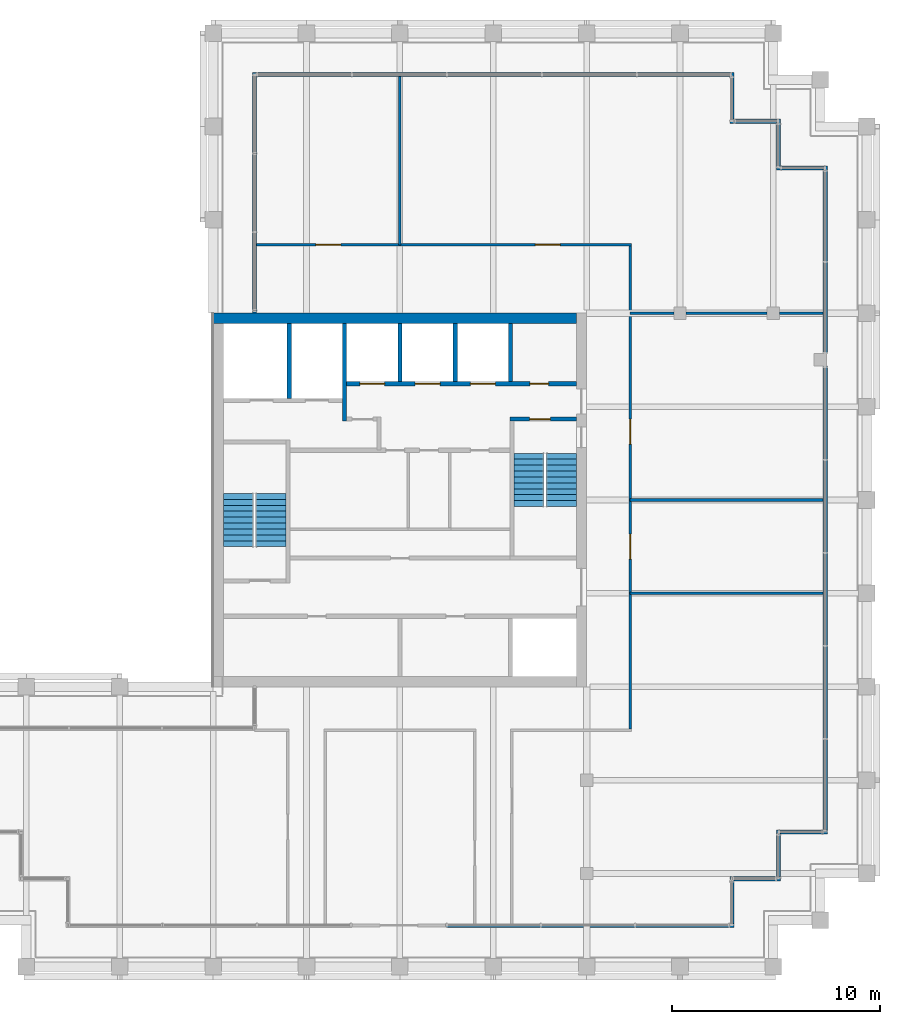
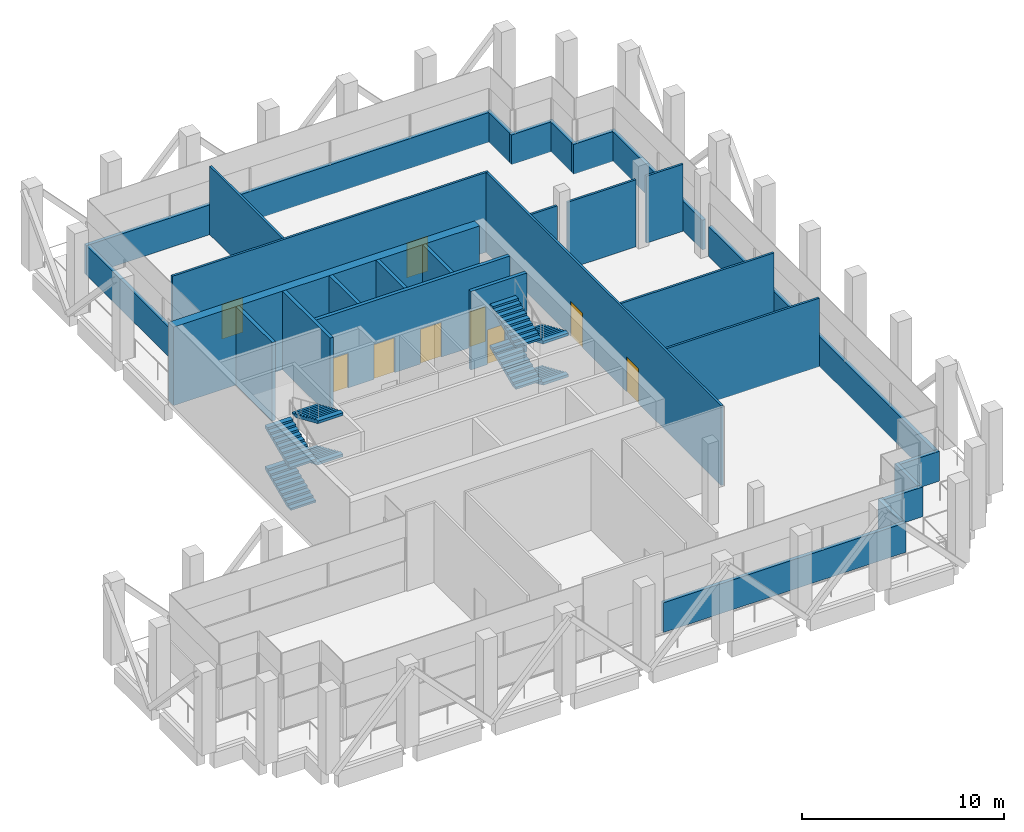
# One storey, part 20 of 21: 29 walls, 9 doors, 8 stair flights, 9 openings, 2 elements without a shape of their own.
"""IFC4 building model written with IfcOpenShell, lengths in metres."""

from ifc_helpers import new_model, si_unit, direction, frame, frame_2d, origin, place, context, subcontext, project, spatial, polyline, rectangle, outline, extrude, material, layer, layer_set, type_object, element, fill, aggregate, save


model = new_model("IFC4")

# Units and contexts
model_context = context("Model", 3, precision=1e-05, world=origin(), true_north=direction((0.0, 1.0)))
body_context = subcontext(model_context, "Body", "Model", "MODEL_VIEW")
ifc_project = project(units=[si_unit("LENGTHUNIT", "METRE"), si_unit("AREAUNIT", "SQUARE_METRE"), si_unit("VOLUMEUNIT", "CUBIC_METRE"), si_unit("PLANEANGLEUNIT", "RADIAN"), si_unit("MASSUNIT", "GRAM", prefix="KILO")], contexts=[model_context])

# Site, building, storey
site_placement = place(None, origin())
site = spatial("IfcSite", under=ifc_project, at=site_placement, CompositionType="ELEMENT")
building_placement = place(site_placement, origin())
building = spatial("IfcBuilding", under=site, at=building_placement, Name="Altepetl Exchange Towers", CompositionType="ELEMENT")
storey_placement = place(building_placement, frame((0.0, 0.0, 246.0)))
storey = spatial("IfcBuildingStorey", under=building, at=storey_placement, Name="L63 Refuge", CompositionType="ELEMENT", Elevation=246.0)

# Walls
ifc_material_1 = material(Name="Concrete C70/85", Category="concrete")
ifc_layer_1 = layer(ifc_material_1, 0.5)
ifc_layer_set_1 = layer_set([ifc_layer_1], Name="Concrete C70/85")
wall_type_1 = type_object("IfcWallType", Name="Core wall 500 reinforced concrete", PredefinedType="SHEAR", material=ifc_layer_set_1)
wall_1_placement = place(storey_placement, frame((40.5, 58.25, 0.0)))
element("IfcWall", 1, at=wall_1_placement, inside=storey, type_object=wall_type_1, Name="wall:A:L63:K-coreN", PredefinedType="SHEAR", context=body_context, shape_type="SweptSolid", body=[
    extrude(rectangle(XDim=17.5, YDim=0.5, at=frame_2d((8.75, 0.0))), origin(), (0.0, 0.0, 1.0), 4.75),
])
ifc_material_2 = material(Name="Gypsum board on steel studs", Category="steel")
ifc_layer_2 = layer(ifc_material_2, 0.125)
ifc_layer_set_2 = layer_set([ifc_layer_2], Name="Gypsum board on steel studs")
wall_type_2 = type_object("IfcWallType", Name="Partition 125 gypsum board on steel studs", PredefinedType="PARTITIONING", material=ifc_layer_set_2)
for number, where, name in (
    (2, (60.60009765625, 45.0, 0.0), "wall:A:L63:P04"),
    (3, (60.60009765625, 49.5, 0.0), "wall:A:L63:P05"),
):
    element("IfcWall", number, at=place(storey_placement, frame(where)), inside=storey, type_object=wall_type_2, Name=name, PredefinedType="PARTITIONING", context=body_context, shape_type="SweptSolid", body=[
        extrude(rectangle(XDim=9.2998046875, YDim=0.125, at=frame_2d((4.64990234375, 0.0))), origin(), (0.0, 0.0, 1.0), 4.14111328125),
    ])
wall_2_placement = place(storey_placement, frame((60.60009765625, 58.5, 0.0)))
element("IfcWall", 4, at=wall_2_placement, inside=storey, type_object=wall_type_2, Name="wall:A:L63:P06", PredefinedType="PARTITIONING", context=body_context, shape_type="SweptSolid", body=[
    extrude(rectangle(XDim=2.099853515625, YDim=0.125, at=frame_2d((1.0498046875, 0.0))), origin(), (0.0, 0.0, 1.0), 4.051025390625),
])
wall_3_placement = place(storey_placement, frame((63.300048828125, 58.5, 0.0)))
element("IfcWall", 5, at=wall_3_placement, inside=storey, type_object=wall_type_2, Name="wall:A:L63:P07", PredefinedType="PARTITIONING", context=body_context, shape_type="SweptSolid", body=[
    extrude(rectangle(XDim=3.89990234375, YDim=0.125, at=frame_2d((1.949951171875, 0.0))), origin(), (0.0, 0.0, 1.0), 4.051025390625),
])
wall_4_placement = place(storey_placement, frame((67.800048828125, 58.5, 0.0)))
element("IfcWall", 6, at=wall_4_placement, inside=storey, type_object=wall_type_2, Name="wall:A:L63:P08", PredefinedType="PARTITIONING", context=body_context, shape_type="SweptSolid", body=[
    extrude(rectangle(XDim=2.099853515625, YDim=0.125, at=frame_2d((1.0498046875, 0.0))), origin(), (0.0, 0.0, 1.0), 4.051025390625),
])

# Wall, openings, doors
wall_5_placement = place(storey_placement, frame((42.60009765625, 61.800048828125, 0.0)))
wall_5 = element("IfcWall", 7, at=wall_5_placement, inside=storey, type_object=wall_type_2, Name="wall:A:L63:P09", PredefinedType="PARTITIONING", context=body_context, shape_type="SweptSolid", body=[
    extrude(rectangle(XDim=18.0625, YDim=0.125, at=frame_2d((9.03125, 0.0))), origin(), (0.0, 0.0, 1.0), 4.824951171875),
])
opening_1_placement = place(wall_5_placement, frame((13.425048828125, 0.0, 0.0)))
opening_1 = element("IfcOpeningElement", 8, at=opening_1_placement, cuts=wall_5, Name="Opening L63.A06", PredefinedType="OPENING", context=body_context, shape_type="SweptSolid", body=[
    extrude(rectangle(XDim=1.199951171875, YDim=2.10009765625, at=frame_2d((0.60009765625, 1.050048828125))), frame((0.0, 0.072509765625, 0.0), z_axis=(0.0, -1.0, 0.0), x_axis=(1.0, 0.0, 0.0)), (0.0, 0.0, 1.0), 0.14501953125),
])
opening_2_placement = place(wall_5_placement, frame((2.85009765625, 0.0, 0.0)))
opening_2 = element("IfcOpeningElement", 9, at=opening_2_placement, cuts=wall_5, Name="Opening L63.A07", PredefinedType="OPENING", context=body_context, shape_type="SweptSolid", body=[
    extrude(rectangle(XDim=1.199951171875, YDim=2.10009765625, at=frame_2d((0.60009765625, 1.050048828125))), frame((0.0, 0.072509765625, 0.0), z_axis=(0.0, -1.0, 0.0), x_axis=(1.0, 0.0, 0.0)), (0.0, 0.0, 1.0), 0.14501953125),
])
ifc_material_3 = material(Name="Steel and timber fire door", Category="steel")
door_type_1 = type_object("IfcDoorType", Name="Fire door 1200 x 2100 plant and refuge", OperationType="SINGLE_SWING_LEFT", PredefinedType="DOOR", material=ifc_material_3)
door_1_placement = place(opening_1_placement, origin())
door_1 = element("IfcDoor", 10, at=door_1_placement, inside=storey, type_object=door_type_1, Name="door:A:L63:06", OperationType="SINGLE_SWING_LEFT", OverallHeight=2.10009765625, OverallWidth=1.199951171875, PredefinedType="DOOR", context=body_context, shape_type="SweptSolid", body=[
    extrude(rectangle(XDim=1.199951171875, YDim=2.10009765625, at=frame_2d((0.60009765625, 1.050048828125))), frame((0.0, 0.02490234375, 0.0), z_axis=(0.0, -1.0, 0.0), x_axis=(1.0, 0.0, 0.0)), (0.0, 0.0, 1.0), 0.050048828125),
])
fill(opening_1, door_1)
door_2_placement = place(opening_2_placement, origin())
door_2 = element("IfcDoor", 11, at=door_2_placement, inside=storey, type_object=door_type_1, Name="door:A:L63:07", OperationType="SINGLE_SWING_RIGHT", OverallHeight=2.10009765625, OverallWidth=1.199951171875, PredefinedType="DOOR", context=body_context, shape_type="SweptSolid", body=[
    extrude(rectangle(XDim=1.199951171875, YDim=2.10009765625, at=frame_2d((0.60009765625, 1.050048828125))), frame((0.0, 0.02490234375, 0.0), z_axis=(0.0, -1.0, 0.0), x_axis=(1.0, 0.0, 0.0)), (0.0, 0.0, 1.0), 0.050048828125),
])
fill(opening_2, door_2)

# Wall
wall_6_placement = place(storey_placement, frame((49.5, 61.800048828125, 0.0), z_axis=(0.0, 0.0, 1.0), x_axis=(0.0, 1.0, 0.0)))
element("IfcWall", 12, at=wall_6_placement, inside=storey, type_object=wall_type_2, Name="wall:A:L63:P12", PredefinedType="PARTITIONING", context=body_context, shape_type="SweptSolid", body=[
    extrude(rectangle(XDim=8.099853515625, YDim=0.125, at=frame_2d((4.0498046875, 0.0))), origin(), (0.0, 0.0, 1.0), 4.14111328125),
])

# Wall, openings, doors
wall_7_placement = place(storey_placement, frame((60.60009765625, 38.46240234375, 0.0), z_axis=(0.0, 0.0, 1.0), x_axis=(0.0, 1.0, 0.0)))
wall_7 = element("IfcWall", 13, at=wall_7_placement, inside=storey, type_object=wall_type_2, Name="wall:A:L63:P15", PredefinedType="PARTITIONING", context=body_context, shape_type="SweptSolid", body=[
    extrude(rectangle(XDim=23.275146484375, YDim=0.125, at=frame_2d((11.6376953125, 0.0))), origin(), (0.0, 0.0, 1.0), 4.824951171875),
])
opening_3_placement = place(wall_7_placement, frame((8.1875, 0.0, 0.0)))
opening_3 = element("IfcOpeningElement", 14, at=opening_3_placement, cuts=wall_7, Name="Opening L63.A04", PredefinedType="OPENING", context=body_context, shape_type="SweptSolid", body=[
    extrude(rectangle(XDim=1.199951171875, YDim=2.10009765625, at=frame_2d((0.60009765625, 1.050048828125))), frame((0.0, 0.072509765625, 0.0), z_axis=(0.0, -1.0, 0.0), x_axis=(1.0, 0.0, 0.0)), (0.0, 0.0, 1.0), 0.14501953125),
])
opening_4_placement = place(wall_7_placement, frame((13.7294921875, 0.0, 0.0)))
opening_4 = element("IfcOpeningElement", 15, at=opening_4_placement, cuts=wall_7, Name="Opening L63.A05", PredefinedType="OPENING", context=body_context, shape_type="SweptSolid", body=[
    extrude(rectangle(XDim=1.199951171875, YDim=2.10009765625, at=frame_2d((0.60009765625, 1.050048828125))), frame((0.0, 0.072509765625, 0.0), z_axis=(0.0, -1.0, 0.0), x_axis=(1.0, 0.0, 0.0)), (0.0, 0.0, 1.0), 0.14501953125),
])
door_3_placement = place(opening_3_placement, frame((1.199951171875, 0.0, 0.0), x_axis=(-1.0, 0.0, 0.0)))
door_3 = element("IfcDoor", 16, at=door_3_placement, inside=storey, type_object=door_type_1, Name="door:A:L63:04", OperationType="SINGLE_SWING_RIGHT", OverallHeight=2.10009765625, OverallWidth=1.199951171875, PredefinedType="DOOR", context=body_context, shape_type="SweptSolid", body=[
    extrude(rectangle(XDim=1.199951171875, YDim=2.10009765625, at=frame_2d((0.60009765625, 1.050048828125))), frame((0.0, 0.02490234375, 0.0), z_axis=(0.0, -1.0, 0.0), x_axis=(1.0, 0.0, 0.0)), (0.0, 0.0, 1.0), 0.050048828125),
])
fill(opening_3, door_3)
door_4_placement = place(opening_4_placement, frame((1.199951171875, 0.0, 0.0), x_axis=(-1.0, 0.0, 0.0)))
door_4 = element("IfcDoor", 17, at=door_4_placement, inside=storey, type_object=door_type_1, Name="door:A:L63:05", OperationType="SINGLE_SWING_RIGHT", OverallHeight=2.10009765625, OverallWidth=1.199951171875, PredefinedType="DOOR", context=body_context, shape_type="SweptSolid", body=[
    extrude(rectangle(XDim=1.199951171875, YDim=2.10009765625, at=frame_2d((0.60009765625, 1.050048828125))), frame((0.0, 0.02490234375, 0.0), z_axis=(0.0, -1.0, 0.0), x_axis=(1.0, 0.0, 0.0)), (0.0, 0.0, 1.0), 0.050048828125),
])
fill(opening_4, door_4)

# Walls
ifc_material_4 = material(Name="Cantera limestone cladding", Category="masonry")
ifc_layer_3 = layer(ifc_material_4, 0.199951171875)
ifc_layer_set_3 = layer_set([ifc_layer_3], Name="Cantera limestone cladding")
wall_type_3 = type_object("IfcWallType", Name="Refuge stone wall 200", PredefinedType="ELEMENTEDWALL", material=ifc_layer_set_3)
wall_8_placement = place(storey_placement, frame((51.728515625, 29.0, 0.0)))
element("IfcWall", 18, at=wall_8_placement, inside=storey, type_object=wall_type_3, Name="Refuge stone wall", PredefinedType="ELEMENTEDWALL", context=body_context, shape_type="SweptSolid", body=[
    extrude(rectangle(XDim=13.87158203125, YDim=0.199951171875, at=frame_2d((6.935791015625, 0.0))), origin(), (0.0, 0.0, 1.0), 1.800048828125),
])
wall_9_placement = place(storey_placement, frame((65.5, 29.10009765625, 0.0), z_axis=(0.0, 0.0, 1.0), x_axis=(0.0, 1.0, 0.0)))
element("IfcWall", 19, at=wall_9_placement, inside=storey, type_object=wall_type_3, Name="Refuge stone wall", PredefinedType="ELEMENTEDWALL", context=body_context, shape_type="SweptSolid", body=[
    extrude(rectangle(XDim=2.25, YDim=0.199951171875, at=frame_2d((1.125, 0.0))), origin(), (0.0, 0.0, 1.0), 1.800048828125),
])
wall_10_placement = place(storey_placement, frame((65.60009765625, 31.25, 0.0)))
element("IfcWall", 20, at=wall_10_placement, inside=storey, type_object=wall_type_3, Name="Refuge stone wall", PredefinedType="ELEMENTEDWALL", context=body_context, shape_type="SweptSolid", body=[
    extrude(rectangle(XDim=2.25, YDim=0.199951171875, at=frame_2d((1.125, 0.0))), origin(), (0.0, 0.0, 1.0), 1.800048828125),
])
wall_11_placement = place(storey_placement, frame((67.75, 31.35009765625, 0.0), z_axis=(0.0, 0.0, 1.0), x_axis=(0.0, 1.0, 0.0)))
element("IfcWall", 21, at=wall_11_placement, inside=storey, type_object=wall_type_3, Name="Refuge stone wall", PredefinedType="ELEMENTEDWALL", context=body_context, shape_type="SweptSolid", body=[
    extrude(rectangle(XDim=2.25, YDim=0.199951171875, at=frame_2d((1.125, 0.0))), origin(), (0.0, 0.0, 1.0), 1.800048828125),
])
wall_12_placement = place(storey_placement, frame((67.85009765625, 33.5, 0.0)))
element("IfcWall", 22, at=wall_12_placement, inside=storey, type_object=wall_type_3, Name="Refuge stone wall", PredefinedType="ELEMENTEDWALL", context=body_context, shape_type="SweptSolid", body=[
    extrude(rectangle(XDim=2.25, YDim=0.199951171875, at=frame_2d((1.125, 0.0))), origin(), (0.0, 0.0, 1.0), 1.800048828125),
])
wall_13_placement = place(storey_placement, frame((70.0, 33.60009765625, 0.0), z_axis=(0.0, 0.0, 1.0), x_axis=(0.0, 1.0, 0.0)))
element("IfcWall", 23, at=wall_13_placement, inside=storey, type_object=wall_type_3, Name="Refuge stone wall", PredefinedType="ELEMENTEDWALL", context=body_context, shape_type="SweptSolid", body=[
    extrude(rectangle(XDim=22.349853515625, YDim=0.199951171875, at=frame_2d((11.1748046875, 0.0))), origin(), (0.0, 0.0, 1.0), 1.800048828125),
])
wall_14_placement = place(storey_placement, frame((70.0, 56.550048828125, 0.0), z_axis=(0.0, 0.0, 1.0), x_axis=(0.0, 1.0, 0.0)))
element("IfcWall", 24, at=wall_14_placement, inside=storey, type_object=wall_type_3, Name="Refuge stone wall", PredefinedType="ELEMENTEDWALL", context=body_context, shape_type="SweptSolid", body=[
    extrude(rectangle(XDim=9.050048828125, YDim=0.199951171875, at=frame_2d((4.52490234375, 0.0))), origin(), (0.0, 0.0, 1.0), 1.800048828125),
])
for number, where, z_axis, x_axis, name in (
    (25, (69.89990234375, 65.5, 0.0), (0.0, 0.0, 1.0), (-1.0, 0.0, 0.0), "Refuge stone wall"),
    (26, (67.75, 65.60009765625, 0.0), (0.0, 0.0, 1.0), (0.0, 1.0, 0.0), "Refuge stone wall"),
    (27, (67.64990234375, 67.75, 0.0), (0.0, 0.0, 1.0), (-1.0, 0.0, 0.0), "Refuge stone wall"),
    (28, (65.5, 67.85009765625, 0.0), (0.0, 0.0, 1.0), (0.0, 1.0, 0.0), "Refuge stone wall"),
):
    element("IfcWall", number, at=place(storey_placement, frame(where, z_axis=z_axis, x_axis=x_axis)), inside=storey, type_object=wall_type_3, Name=name, PredefinedType="ELEMENTEDWALL", context=body_context, shape_type="SweptSolid", body=[
        extrude(rectangle(XDim=2.25, YDim=0.199951171875, at=frame_2d((1.125, 0.0))), origin(), (0.0, 0.0, 1.0), 1.800048828125),
    ])
wall_15_placement = place(storey_placement, frame((65.39990234375, 70.0, 0.0), z_axis=(0.0, 0.0, 1.0), x_axis=(-1.0, 0.0, 0.0)))
element("IfcWall", 29, at=wall_15_placement, inside=storey, type_object=wall_type_3, Name="Refuge stone wall", PredefinedType="ELEMENTEDWALL", context=body_context, shape_type="SweptSolid", body=[
    extrude(rectangle(XDim=23.0, YDim=0.199951171875, at=frame_2d((11.5, 0.0))), origin(), (0.0, 0.0, 1.0), 1.800048828125),
])
wall_16_placement = place(storey_placement, frame((42.5, 69.89990234375, 0.0), z_axis=(0.0, 0.0, 1.0), x_axis=(0.0, -1.0, 0.0)))
element("IfcWall", 30, at=wall_16_placement, inside=storey, type_object=wall_type_3, Name="Refuge stone wall", PredefinedType="ELEMENTEDWALL", context=body_context, shape_type="SweptSolid", body=[
    extrude(rectangle(XDim=11.39990234375, YDim=0.199951171875, at=frame_2d((5.699951171875, 0.0))), origin(), (0.0, 0.0, 1.0), 1.800048828125),
])
ifc_material_5 = material(Name="Concrete C40/50", Category="concrete")
ifc_layer_4 = layer(ifc_material_5, 0.199951171875)
ifc_layer_set_4 = layer_set([ifc_layer_4], Name="Concrete C40/50")
wall_type_4 = type_object("IfcWallType", Name="Shaft wall 200 reinforced concrete", PredefinedType="SHEAR", material=ifc_layer_set_4)
wall_17_placement = place(storey_placement, frame((44.166748046875, 58.0, 0.0), z_axis=(0.0, 0.0, 1.0), x_axis=(0.0, -1.0, 0.0)))
element("IfcWall", 31, at=wall_17_placement, inside=storey, type_object=wall_type_4, Name="wall:A:L63:K-divN1", PredefinedType="SHEAR", context=body_context, shape_type="SweptSolid", body=[
    extrude(rectangle(XDim=3.60009765625, YDim=0.199951171875, at=frame_2d((1.800048828125, 0.0))), origin(), (0.0, 0.0, 1.0), 4.75),
])
wall_18_placement = place(storey_placement, frame((46.833251953125, 58.0, 0.0), z_axis=(0.0, 0.0, 1.0), x_axis=(0.0, -1.0, 0.0)))
element("IfcWall", 32, at=wall_18_placement, inside=storey, type_object=wall_type_4, Name="wall:A:L63:K-divN2", PredefinedType="SHEAR", context=body_context, shape_type="SweptSolid", body=[
    extrude(rectangle(XDim=4.699951171875, YDim=0.199951171875, at=frame_2d((2.35009765625, 0.0))), origin(), (0.0, 0.0, 1.0), 4.75),
])
for number, where, z_axis, x_axis, name in (
    (33, (49.5, 58.0, 0.0), (0.0, 0.0, 1.0), (0.0, -1.0, 0.0), "wall:A:L63:K-divN3"),
    (34, (52.166748046875, 58.0, 0.0), (0.0, 0.0, 1.0), (0.0, -1.0, 0.0), "wall:A:L63:K-divN4"),
    (35, (54.833251953125, 58.0, 0.0), (0.0, 0.0, 1.0), (0.0, -1.0, 0.0), "wall:A:L63:K-divN5"),
):
    element("IfcWall", number, at=place(storey_placement, frame(where, z_axis=z_axis, x_axis=x_axis)), inside=storey, type_object=wall_type_4, Name=name, PredefinedType="SHEAR", context=body_context, shape_type="SweptSolid", body=[
        extrude(rectangle(XDim=2.800048828125, YDim=0.199951171875, at=frame_2d((1.39990234375, 0.0))), origin(), (0.0, 0.0, 1.0), 4.75),
    ])

# Wall, openings, doors
wall_19_placement = place(storey_placement, frame((46.933349609375, 55.10009765625, 0.0)))
wall_19 = element("IfcWall", 36, at=wall_19_placement, inside=storey, type_object=wall_type_4, Name="wall:A:L63:K-frontNb", PredefinedType="SHEAR", context=body_context, shape_type="SweptSolid", body=[
    extrude(rectangle(XDim=11.066650390625, YDim=0.199951171875, at=frame_2d((5.533203125, 0.0))), origin(), (0.0, 0.0, 1.0), 4.75),
])
opening_5_placement = place(wall_19_placement, frame((8.83349609375, 0.0, 0.0)))
opening_5 = element("IfcOpeningElement", 37, at=opening_5_placement, cuts=wall_19, Name="Opening L63.A66", PredefinedType="OPENING", context=body_context, shape_type="SweptSolid", body=[
    extrude(rectangle(XDim=0.89990234375, YDim=2.10009765625, at=frame_2d((0.449951171875, 1.050048828125))), frame((0.0, 0.10986328125, 0.0), z_axis=(0.0, -1.0, 0.0), x_axis=(1.0, 0.0, 0.0)), (0.0, 0.0, 1.0), 0.219970703125),
])
opening_6_placement = place(wall_19_placement, frame((0.63330078125, 0.0, 0.0)))
opening_6 = element("IfcOpeningElement", 38, at=opening_6_placement, cuts=wall_19, Name="Opening L63.A75", PredefinedType="OPENING", context=body_context, shape_type="SweptSolid", body=[
    extrude(rectangle(XDim=1.199951171875, YDim=2.10009765625, at=frame_2d((0.60009765625, 1.050048828125))), frame((0.0, 0.10986328125, 0.0), z_axis=(0.0, -1.0, 0.0), x_axis=(1.0, 0.0, 0.0)), (0.0, 0.0, 1.0), 0.219970703125),
])
opening_7_placement = place(wall_19_placement, frame((3.300048828125, 0.0, 0.0)))
opening_7 = element("IfcOpeningElement", 39, at=opening_7_placement, cuts=wall_19, Name="Opening L63.A76", PredefinedType="OPENING", context=body_context, shape_type="SweptSolid", body=[
    extrude(rectangle(XDim=1.199951171875, YDim=2.10009765625, at=frame_2d((0.60009765625, 1.050048828125))), frame((0.0, 0.10986328125, 0.0), z_axis=(0.0, -1.0, 0.0), x_axis=(1.0, 0.0, 0.0)), (0.0, 0.0, 1.0), 0.219970703125),
])
opening_8_placement = place(wall_19_placement, frame((5.966796875, 0.0, 0.0)))
opening_8 = element("IfcOpeningElement", 40, at=opening_8_placement, cuts=wall_19, Name="Opening L63.A77", PredefinedType="OPENING", context=body_context, shape_type="SweptSolid", body=[
    extrude(rectangle(XDim=1.199951171875, YDim=2.10009765625, at=frame_2d((0.60009765625, 1.050048828125))), frame((0.0, 0.10986328125, 0.0), z_axis=(0.0, -1.0, 0.0), x_axis=(1.0, 0.0, 0.0)), (0.0, 0.0, 1.0), 0.219970703125),
])
door_type_2 = type_object("IfcDoorType", Name="Fire door 900 x 2100 service room", OperationType="SINGLE_SWING_LEFT", PredefinedType="DOOR", material=ifc_material_3)
door_5_placement = place(opening_5_placement, origin())
door_5 = element("IfcDoor", 41, at=door_5_placement, inside=storey, type_object=door_type_2, Name="door:A:L63:K-driser", OperationType="SINGLE_SWING_RIGHT", OverallHeight=2.10009765625, OverallWidth=0.89990234375, PredefinedType="DOOR", context=body_context, shape_type="SweptSolid", body=[
    extrude(rectangle(XDim=0.89990234375, YDim=2.10009765625, at=frame_2d((0.449951171875, 1.050048828125))), frame((0.0, 0.02490234375, 0.0), z_axis=(0.0, -1.0, 0.0), x_axis=(1.0, 0.0, 0.0)), (0.0, 0.0, 1.0), 0.050048828125),
])
fill(opening_5, door_5)
ifc_material_6 = material(Name="Stainless steel", Category="steel")
door_type_3 = type_object("IfcDoorType", Name="Lift landing door 1200 x 2100", OperationType="SLIDING_TO_LEFT", PredefinedType="DOOR", material=ifc_material_6)
door_6_placement = place(opening_6_placement, origin())
door_6 = element("IfcDoor", 42, at=door_6_placement, inside=storey, type_object=door_type_3, Name="Landing door P5", OperationType="SLIDING_TO_LEFT", OverallHeight=2.10009765625, OverallWidth=1.199951171875, PredefinedType="DOOR", context=body_context, shape_type="SweptSolid", body=[
    extrude(rectangle(XDim=1.199951171875, YDim=2.10009765625, at=frame_2d((0.60009765625, 1.050048828125))), frame((0.0, 0.02490234375, 0.0), z_axis=(0.0, -1.0, 0.0), x_axis=(1.0, 0.0, 0.0)), (0.0, 0.0, 1.0), 0.050048828125),
])
fill(opening_6, door_6)
door_7_placement = place(opening_7_placement, origin())
door_7 = element("IfcDoor", 43, at=door_7_placement, inside=storey, type_object=door_type_3, Name="Landing door P6", OperationType="SLIDING_TO_LEFT", OverallHeight=2.10009765625, OverallWidth=1.199951171875, PredefinedType="DOOR", context=body_context, shape_type="SweptSolid", body=[
    extrude(rectangle(XDim=1.199951171875, YDim=2.10009765625, at=frame_2d((0.60009765625, 1.050048828125))), frame((0.0, 0.02490234375, 0.0), z_axis=(0.0, -1.0, 0.0), x_axis=(1.0, 0.0, 0.0)), (0.0, 0.0, 1.0), 0.050048828125),
])
fill(opening_7, door_7)
door_8_placement = place(opening_8_placement, origin())
door_8 = element("IfcDoor", 44, at=door_8_placement, inside=storey, type_object=door_type_3, Name="Landing door P7", OperationType="SLIDING_TO_LEFT", OverallHeight=2.10009765625, OverallWidth=1.199951171875, PredefinedType="DOOR", context=body_context, shape_type="SweptSolid", body=[
    extrude(rectangle(XDim=1.199951171875, YDim=2.10009765625, at=frame_2d((0.60009765625, 1.050048828125))), frame((0.0, 0.02490234375, 0.0), z_axis=(0.0, -1.0, 0.0), x_axis=(1.0, 0.0, 0.0)), (0.0, 0.0, 1.0), 0.050048828125),
])
fill(opening_8, door_8)

# Wall, opening, door
ifc_layer_5 = layer(ifc_material_5, 0.199951171875)
ifc_layer_set_5 = layer_set([ifc_layer_5], Name="Concrete C40/50")
wall_type_5 = type_object("IfcWallType", Name="Stair wall 200 reinforced concrete", PredefinedType="SHEAR", material=ifc_layer_set_5)
wall_20_placement = place(storey_placement, frame((54.800048828125, 53.39990234375, 0.0)))
wall_20 = element("IfcWall", 45, at=wall_20_placement, inside=storey, type_object=wall_type_5, Name="wall:A:L63:K-stS2N", PredefinedType="SHEAR", context=body_context, shape_type="SweptSolid", body=[
    extrude(rectangle(XDim=3.199951171875, YDim=0.199951171875, at=frame_2d((1.60009765625, 0.0))), origin(), (0.0, 0.0, 1.0), 4.75),
])
opening_9_placement = place(wall_20_placement, frame((0.949951171875, 0.0, 0.0)))
opening_9 = element("IfcOpeningElement", 46, at=opening_9_placement, cuts=wall_20, Name="Opening L63.A63", PredefinedType="OPENING", context=body_context, shape_type="SweptSolid", body=[
    extrude(rectangle(XDim=1.0, YDim=2.10009765625, at=frame_2d((0.5, 1.050048828125))), frame((0.0, 0.10986328125, 0.0), z_axis=(0.0, -1.0, 0.0), x_axis=(1.0, 0.0, 0.0)), (0.0, 0.0, 1.0), 0.219970703125),
])
door_type_4 = type_object("IfcDoorType", Name="Fire door 1000 x 2100 stair and lobby", OperationType="SINGLE_SWING_LEFT", PredefinedType="DOOR", material=ifc_material_3)
door_9_placement = place(opening_9_placement, frame((1.0, 0.0, 0.0), x_axis=(-1.0, 0.0, 0.0)))
door_9 = element("IfcDoor", 47, at=door_9_placement, inside=storey, type_object=door_type_4, Name="door:A:L63:K-dS2in", OperationType="SINGLE_SWING_LEFT", OverallHeight=2.10009765625, OverallWidth=1.0, PredefinedType="DOOR", context=body_context, shape_type="SweptSolid", body=[
    extrude(rectangle(XDim=1.0, YDim=2.10009765625, at=frame_2d((0.5, 1.050048828125))), frame((0.0, 0.02490234375, 0.0), z_axis=(0.0, -1.0, 0.0), x_axis=(1.0, 0.0, 0.0)), (0.0, 0.0, 1.0), 0.050048828125),
])
fill(opening_9, door_9)

# Stair, stair flights
stair_type = type_object("IfcStairType", Name="Exit stair 1450 flights dogleg", PredefinedType="HALF_TURN_STAIR", material=ifc_material_5)
stair_1_placement = place(storey_placement, origin())
stair_1 = element("IfcStair", 48, at=stair_1_placement, inside=storey, type_object=stair_type, Name="Exit stair 1", PredefinedType="HALF_TURN_STAIR")
stair_flight_type = type_object("IfcStairFlightType", Name="Stair flight 1450 wide", PredefinedType="STRAIGHT", material=ifc_material_5)
stair_flight_1_placement = place(storey_placement, frame((41.72509765625, 47.25, 0.0), z_axis=(0.0, 0.0, 1.0), x_axis=(0.0, 1.0, 0.0)))
stair_flight_1 = element("IfcStairFlight", 49, at=stair_flight_1_placement, type_object=stair_flight_type, Name="ST-A1f flight 1", NumberOfRisers=10, NumberOfTreads=9, PredefinedType="STRAIGHT", RiserHeight=0.125, TreadLength=0.285, context=body_context, shape_type="SweptSolid", body=[
    extrude(outline(polyline([(0.0, 0.0), (0.0, 0.125), (0.284912109375, 0.125), (0.284912109375, 0.25), (0.570068359375, 0.25), (0.570068359375, 0.375), (0.85498046875, 0.375), (0.85498046875, 0.5), (1.139892578125, 0.5), (1.139892578125, 0.625), (1.425048828125, 0.625), (1.425048828125, 0.75), (1.7099609375, 0.75), (1.7099609375, 0.875), (1.9951171875, 0.875), (1.9951171875, 1.0), (2.280029296875, 1.0), (2.280029296875, 1.125), (2.56494140625, 1.125), (2.56494140625, 1.25), (2.56494140625, 0.96142578125), (0.373291015625, 0.0), (0.0, 0.0)])), frame((0.0, 0.72509765625, 0.0), z_axis=(0.0, -1.0, 0.0), x_axis=(1.0, 0.0, 0.0)), (0.0, 0.0, 1.0), 1.449951171875),
])
stair_flight_2_placement = place(storey_placement, frame((43.27490234375, 49.81494140625, 1.25), z_axis=(0.0, 0.0, 1.0), x_axis=(0.0, -1.0, 0.0)))
stair_flight_2 = element("IfcStairFlight", 50, at=stair_flight_2_placement, type_object=stair_flight_type, Name="ST-A1f flight 2", NumberOfRisers=10, NumberOfTreads=9, PredefinedType="STRAIGHT", RiserHeight=0.125, TreadLength=0.285, context=body_context, shape_type="SweptSolid", body=[
    extrude(outline(polyline([(0.0, 0.0), (0.0, 0.125), (0.284912109375, 0.125), (0.284912109375, 0.25), (0.570068359375, 0.25), (0.570068359375, 0.375), (0.85498046875, 0.375), (0.85498046875, 0.5), (1.139892578125, 0.5), (1.139892578125, 0.625), (1.425048828125, 0.625), (1.425048828125, 0.75), (1.7099609375, 0.75), (1.7099609375, 0.875), (1.9951171875, 0.875), (1.9951171875, 1.0), (2.280029296875, 1.0), (2.280029296875, 1.125), (2.56494140625, 1.125), (2.56494140625, 1.25), (2.56494140625, 0.96142578125), (0.373291015625, 0.0), (0.0, 0.0)])), frame((0.0, 0.72509765625, 0.0), z_axis=(0.0, -1.0, 0.0), x_axis=(1.0, 0.0, 0.0)), (0.0, 0.0, 1.0), 1.449951171875),
])
stair_flight_3_placement = place(storey_placement, frame((41.72509765625, 47.25, 2.5), z_axis=(0.0, 0.0, 1.0), x_axis=(0.0, 1.0, 0.0)))
stair_flight_3 = element("IfcStairFlight", 51, at=stair_flight_3_placement, type_object=stair_flight_type, Name="ST-A1f flight 3", NumberOfRisers=10, NumberOfTreads=9, PredefinedType="STRAIGHT", RiserHeight=0.125, TreadLength=0.285, context=body_context, shape_type="SweptSolid", body=[
    extrude(outline(polyline([(0.0, 0.0), (0.0, 0.125), (0.284912109375, 0.125), (0.284912109375, 0.25), (0.570068359375, 0.25), (0.570068359375, 0.375), (0.85498046875, 0.375), (0.85498046875, 0.5), (1.139892578125, 0.5), (1.139892578125, 0.625), (1.425048828125, 0.625), (1.425048828125, 0.75), (1.7099609375, 0.75), (1.7099609375, 0.875), (1.9951171875, 0.875), (1.9951171875, 1.0), (2.280029296875, 1.0), (2.280029296875, 1.125), (2.56494140625, 1.125), (2.56494140625, 1.25), (2.56494140625, 0.96142578125), (0.373291015625, 0.0), (0.0, 0.0)])), frame((0.0, 0.72509765625, 0.0), z_axis=(0.0, -1.0, 0.0), x_axis=(1.0, 0.0, 0.0)), (0.0, 0.0, 1.0), 1.449951171875),
])
stair_flight_4_placement = place(storey_placement, frame((43.27490234375, 49.81494140625, 3.75), z_axis=(0.0, 0.0, 1.0), x_axis=(0.0, -1.0, 0.0)))
stair_flight_4 = element("IfcStairFlight", 52, at=stair_flight_4_placement, type_object=stair_flight_type, Name="ST-A1f flight 4", NumberOfRisers=10, NumberOfTreads=9, PredefinedType="STRAIGHT", RiserHeight=0.125, TreadLength=0.285, context=body_context, shape_type="SweptSolid", body=[
    extrude(outline(polyline([(0.0, 0.0), (0.0, 0.125), (0.284912109375, 0.125), (0.284912109375, 0.25), (0.570068359375, 0.25), (0.570068359375, 0.375), (0.85498046875, 0.375), (0.85498046875, 0.5), (1.139892578125, 0.5), (1.139892578125, 0.625), (1.425048828125, 0.625), (1.425048828125, 0.75), (1.7099609375, 0.75), (1.7099609375, 0.875), (1.9951171875, 0.875), (1.9951171875, 1.0), (2.280029296875, 1.0), (2.280029296875, 1.125), (2.56494140625, 1.125), (2.56494140625, 1.25), (2.56494140625, 0.96142578125), (0.373291015625, 0.0), (0.0, 0.0)])), frame((0.0, 0.72509765625, 0.0), z_axis=(0.0, -1.0, 0.0), x_axis=(1.0, 0.0, 0.0)), (0.0, 0.0, 1.0), 1.449951171875),
])
aggregate(stair_1, [stair_flight_1, stair_flight_2, stair_flight_3, stair_flight_4])

stair_2_placement = place(storey_placement, origin())
stair_2 = element("IfcStair", 53, at=stair_2_placement, inside=storey, type_object=stair_type, Name="Exit stair 2", PredefinedType="HALF_TURN_STAIR")
stair_flight_5_placement = place(storey_placement, frame((57.27490234375, 51.75, 0.0), z_axis=(0.0, 0.0, 1.0), x_axis=(0.0, -1.0, 0.0)))
stair_flight_5 = element("IfcStairFlight", 54, at=stair_flight_5_placement, type_object=stair_flight_type, Name="ST-A2f flight 1", NumberOfRisers=10, NumberOfTreads=9, PredefinedType="STRAIGHT", RiserHeight=0.125, TreadLength=0.285, context=body_context, shape_type="SweptSolid", body=[
    extrude(outline(polyline([(0.0, 0.0), (0.0, 0.125), (0.284912109375, 0.125), (0.284912109375, 0.25), (0.570068359375, 0.25), (0.570068359375, 0.375), (0.85498046875, 0.375), (0.85498046875, 0.5), (1.139892578125, 0.5), (1.139892578125, 0.625), (1.425048828125, 0.625), (1.425048828125, 0.75), (1.7099609375, 0.75), (1.7099609375, 0.875), (1.9951171875, 0.875), (1.9951171875, 1.0), (2.280029296875, 1.0), (2.280029296875, 1.125), (2.56494140625, 1.125), (2.56494140625, 1.25), (2.56494140625, 0.96142578125), (0.373291015625, 0.0), (0.0, 0.0)])), frame((0.0, 0.72509765625, 0.0), z_axis=(0.0, -1.0, 0.0), x_axis=(1.0, 0.0, 0.0)), (0.0, 0.0, 1.0), 1.449951171875),
])
stair_flight_6_placement = place(storey_placement, frame((55.72509765625, 49.18505859375, 1.25), z_axis=(0.0, 0.0, 1.0), x_axis=(0.0, 1.0, 0.0)))
stair_flight_6 = element("IfcStairFlight", 55, at=stair_flight_6_placement, type_object=stair_flight_type, Name="ST-A2f flight 2", NumberOfRisers=10, NumberOfTreads=9, PredefinedType="STRAIGHT", RiserHeight=0.125, TreadLength=0.285, context=body_context, shape_type="SweptSolid", body=[
    extrude(outline(polyline([(0.0, 0.0), (0.0, 0.125), (0.284912109375, 0.125), (0.284912109375, 0.25), (0.570068359375, 0.25), (0.570068359375, 0.375), (0.85498046875, 0.375), (0.85498046875, 0.5), (1.139892578125, 0.5), (1.139892578125, 0.625), (1.425048828125, 0.625), (1.425048828125, 0.75), (1.7099609375, 0.75), (1.7099609375, 0.875), (1.9951171875, 0.875), (1.9951171875, 1.0), (2.280029296875, 1.0), (2.280029296875, 1.125), (2.56494140625, 1.125), (2.56494140625, 1.25), (2.56494140625, 0.96142578125), (0.373291015625, 0.0), (0.0, 0.0)])), frame((0.0, 0.72509765625, 0.0), z_axis=(0.0, -1.0, 0.0), x_axis=(1.0, 0.0, 0.0)), (0.0, 0.0, 1.0), 1.449951171875),
])
stair_flight_7_placement = place(storey_placement, frame((57.27490234375, 51.75, 2.5), z_axis=(0.0, 0.0, 1.0), x_axis=(0.0, -1.0, 0.0)))
stair_flight_7 = element("IfcStairFlight", 56, at=stair_flight_7_placement, type_object=stair_flight_type, Name="ST-A2f flight 3", NumberOfRisers=10, NumberOfTreads=9, PredefinedType="STRAIGHT", RiserHeight=0.125, TreadLength=0.285, context=body_context, shape_type="SweptSolid", body=[
    extrude(outline(polyline([(0.0, 0.0), (0.0, 0.125), (0.284912109375, 0.125), (0.284912109375, 0.25), (0.570068359375, 0.25), (0.570068359375, 0.375), (0.85498046875, 0.375), (0.85498046875, 0.5), (1.139892578125, 0.5), (1.139892578125, 0.625), (1.425048828125, 0.625), (1.425048828125, 0.75), (1.7099609375, 0.75), (1.7099609375, 0.875), (1.9951171875, 0.875), (1.9951171875, 1.0), (2.280029296875, 1.0), (2.280029296875, 1.125), (2.56494140625, 1.125), (2.56494140625, 1.25), (2.56494140625, 0.96142578125), (0.373291015625, 0.0), (0.0, 0.0)])), frame((0.0, 0.72509765625, 0.0), z_axis=(0.0, -1.0, 0.0), x_axis=(1.0, 0.0, 0.0)), (0.0, 0.0, 1.0), 1.449951171875),
])
stair_flight_8_placement = place(storey_placement, frame((55.72509765625, 49.18505859375, 3.75), z_axis=(0.0, 0.0, 1.0), x_axis=(0.0, 1.0, 0.0)))
stair_flight_8 = element("IfcStairFlight", 57, at=stair_flight_8_placement, type_object=stair_flight_type, Name="ST-A2f flight 4", NumberOfRisers=10, NumberOfTreads=9, PredefinedType="STRAIGHT", RiserHeight=0.125, TreadLength=0.285, context=body_context, shape_type="SweptSolid", body=[
    extrude(outline(polyline([(0.0, 0.0), (0.0, 0.125), (0.284912109375, 0.125), (0.284912109375, 0.25), (0.570068359375, 0.25), (0.570068359375, 0.375), (0.85498046875, 0.375), (0.85498046875, 0.5), (1.139892578125, 0.5), (1.139892578125, 0.625), (1.425048828125, 0.625), (1.425048828125, 0.75), (1.7099609375, 0.75), (1.7099609375, 0.875), (1.9951171875, 0.875), (1.9951171875, 1.0), (2.280029296875, 1.0), (2.280029296875, 1.125), (2.56494140625, 1.125), (2.56494140625, 1.25), (2.56494140625, 0.96142578125), (0.373291015625, 0.0), (0.0, 0.0)])), frame((0.0, 0.72509765625, 0.0), z_axis=(0.0, -1.0, 0.0), x_axis=(1.0, 0.0, 0.0)), (0.0, 0.0, 1.0), 1.449951171875),
])
aggregate(stair_2, [stair_flight_5, stair_flight_6, stair_flight_7, stair_flight_8])

save(model, "model.ifc")
